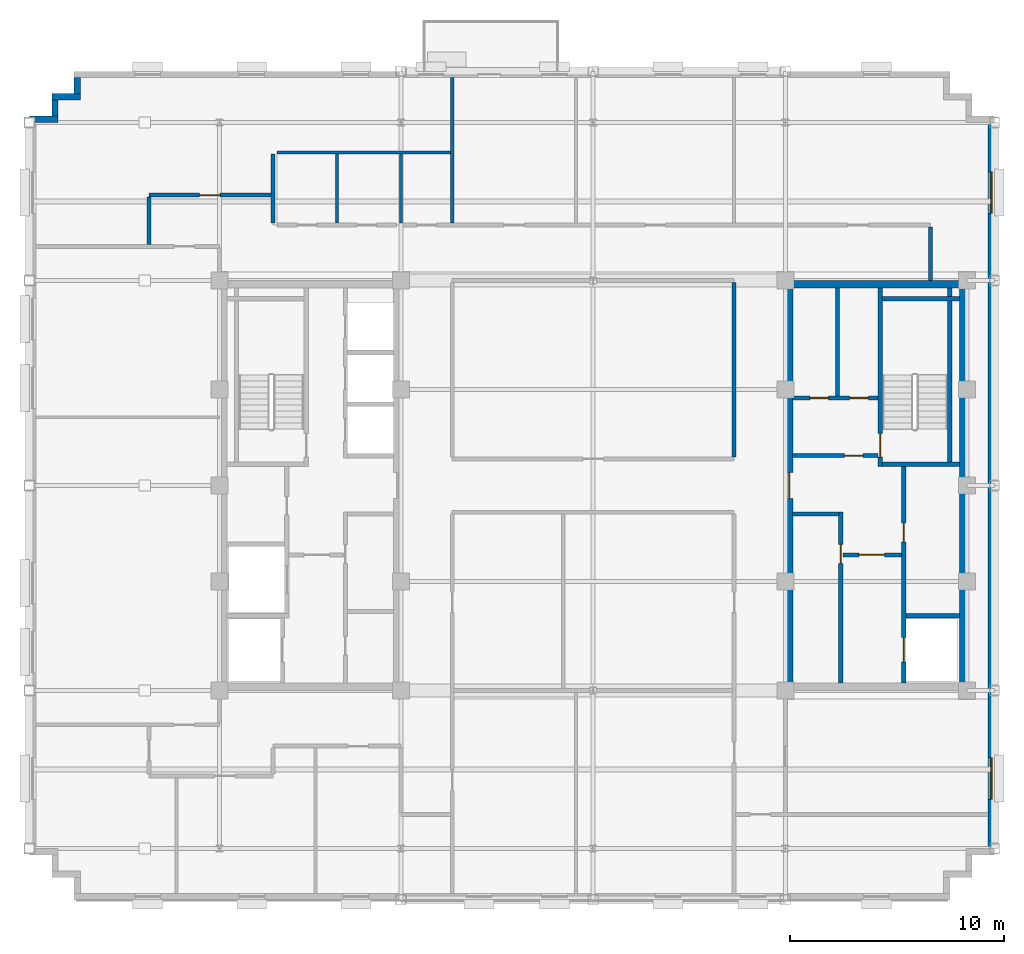
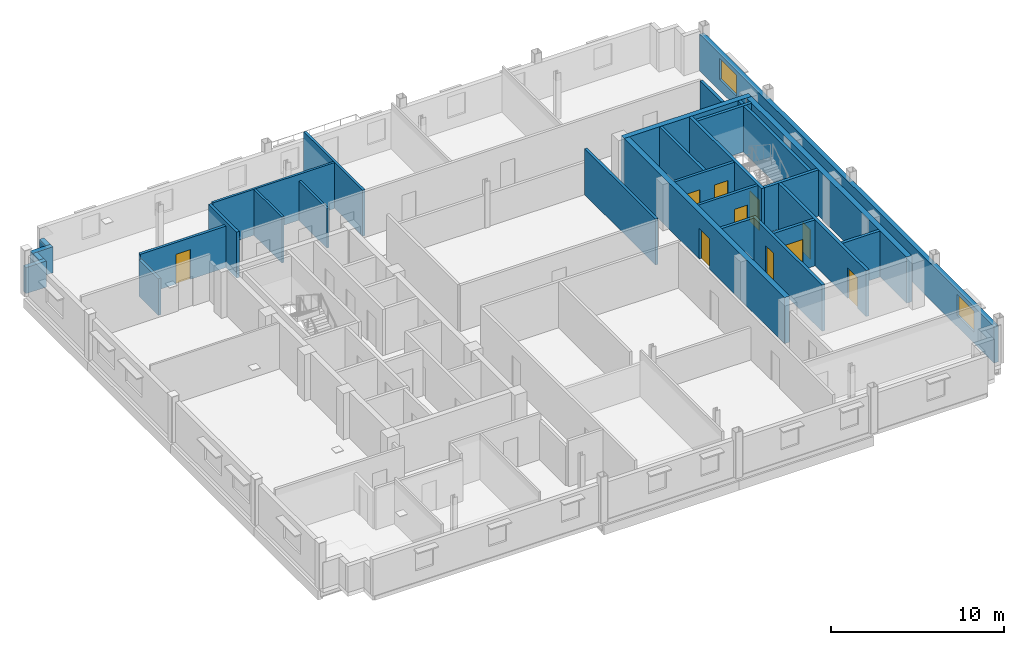
# One storey, part 8 of 14: 29 walls, 10 doors, 2 windows, 12 openings.
"""IFC4 building model written with IfcOpenShell, lengths in metres."""

from ifc_helpers import new_model, si_unit, direction, frame, frame_2d, origin, place, context, subcontext, project, spatial, rectangle, extrude, source, transform, mapped, material, layer, layer_set, type_object, type_shapes, element, fill, save


model = new_model("IFC4")

# Units and contexts
model_context = context("Model", 3, precision=1e-05, world=origin(), true_north=direction((0.0, 1.0)))
body_context = subcontext(model_context, "Body", "Model", "MODEL_VIEW")
ifc_project = project(units=[si_unit("LENGTHUNIT", "METRE"), si_unit("AREAUNIT", "SQUARE_METRE"), si_unit("VOLUMEUNIT", "CUBIC_METRE"), si_unit("PLANEANGLEUNIT", "RADIAN"), si_unit("MASSUNIT", "GRAM", prefix="KILO")], contexts=[model_context])

# Site, building, storey
site_placement = place(None, origin())
site = spatial("IfcSite", under=ifc_project, at=site_placement, CompositionType="ELEMENT")
building_placement = place(site_placement, origin())
building = spatial("IfcBuilding", under=site, at=building_placement, Name="Nuvemarco Arch Tower", CompositionType="ELEMENT")
storey_placement = place(building_placement, frame((0.0, 0.0, 242.0)))
storey = spatial("IfcBuildingStorey", under=building, at=storey_placement, Name="L64", CompositionType="ELEMENT", Elevation=242.0)

# Wall, openings, windows
ifc_material_1 = material(Name="Precast concrete C45/55", Category="concrete")
ifc_layer_1 = layer(ifc_material_1, 0.300048828125, Name="EW-HIGH-300")
ifc_layer_set_1 = layer_set([ifc_layer_1], Name="Precast concrete C45/55")
wall_type_1 = type_object("IfcWallType", Name="EW-HIGH-300", PredefinedType="STANDARD", material=ifc_layer_set_1)
wall_1_placement = place(storey_placement, frame((18.64990234375, -17.00390625, 0.0), z_axis=(0.0, 0.0, 1.0), x_axis=(0.0, 1.0, 0.0)))
wall_1 = element("IfcWall", 1, at=wall_1_placement, inside=storey, type_object=wall_type_1, Name="L64 exterior precast facade wall 6", PredefinedType="STANDARD", context=body_context, shape_type="SweptSolid", body=[
    extrude(rectangle(XDim=34.0078125, YDim=0.300048828125, at=frame_2d((17.00390625, 0.0))), origin(), (0.0, 0.0, 1.0), 2.5849609375),
])
opening_1_placement = place(wall_1_placement, frame((2.311279296875, 0.0, 0.800048828125)))
opening_1 = element("IfcOpeningElement", 2, at=opening_1_placement, cuts=wall_1, Name="Opening WN-7", PredefinedType="OPENING", context=body_context, shape_type="SweptSolid", body=[
    extrude(rectangle(XDim=1.949951171875, YDim=1.47998046875, at=frame_2d((0.97509765625, 0.739990234375))), frame((0.0, 0.159912109375, 0.0), z_axis=(0.0, -1.0, 0.0), x_axis=(1.0, 0.0, 0.0)), (0.0, 0.0, 1.0), 0.320068359375),
])
opening_2_placement = place(wall_1_placement, frame((29.74658203125, 0.0, 0.800048828125)))
opening_2 = element("IfcOpeningElement", 3, at=opening_2_placement, cuts=wall_1, Name="Opening WN-7", PredefinedType="OPENING", context=body_context, shape_type="SweptSolid", body=[
    extrude(rectangle(XDim=1.949951171875, YDim=1.47998046875, at=frame_2d((0.97509765625, 0.739990234375))), frame((0.0, 0.159912109375, 0.0), z_axis=(0.0, -1.0, 0.0), x_axis=(1.0, 0.0, 0.0)), (0.0, 0.0, 1.0), 0.320068359375),
])
ifc_material_2 = material(Name="Insulated solar-control glass", Category="glass")
window_type = type_object("IfcWindowType", Name="WN-HIGH-1950x1480", PartitioningType="DOUBLE_PANEL_VERTICAL", PredefinedType="WINDOW", material=ifc_material_2)
shared_shape_1 = source(origin(), body_context, "Body", "SweptSolid", [
    extrude(rectangle(XDim=1.949951171875, YDim=1.47998046875, at=frame_2d((0.97509765625, 0.739990234375))), frame((0.0, 0.030029296875, 0.0), z_axis=(0.0, -1.0, 0.0), x_axis=(1.0, 0.0, 0.0)), (0.0, 0.0, 1.0), 0.06005859375),
])
type_shapes(window_type, [shared_shape_1])
window_1_placement = place(opening_1_placement, origin())
window_1 = element("IfcWindow", 4, at=window_1_placement, inside=storey, type_object=window_type, Name="L64 punched facade window 1", OverallHeight=1.47998046875, OverallWidth=1.949951171875, PartitioningType="SINGLE_PANEL", PredefinedType="WINDOW", context=body_context, shape_type="MappedRepresentation", body=[
    mapped(shared_shape_1, transform((0.0, 0.0, 0.0), scale=1.0)),
])
fill(opening_1, window_1)
window_2_placement = place(opening_2_placement, origin())
window_2 = element("IfcWindow", 5, at=window_2_placement, inside=storey, type_object=window_type, Name="L64 punched facade window 7", OverallHeight=1.47998046875, OverallWidth=1.949951171875, PartitioningType="SINGLE_PANEL", PredefinedType="WINDOW", context=body_context, shape_type="MappedRepresentation", body=[
    mapped(shared_shape_1, transform((0.0, 0.0, 0.0), scale=1.0)),
])
fill(opening_2, window_2)

# Walls
wall_2_placement = place(storey_placement, frame((-24.14990234375, 18.345947265625, 0.0), z_axis=(0.0, 0.0, 1.0), x_axis=(0.0, 1.0, 0.0)))
element("IfcWall", 6, at=wall_2_placement, inside=storey, type_object=wall_type_1, Name="L64 exterior precast facade wall 12", PredefinedType="STANDARD", context=body_context, shape_type="SweptSolid", body=[
    extrude(rectangle(XDim=0.758056640625, YDim=0.300048828125, at=frame_2d((0.37890625, 0.0))), origin(), (0.0, 0.0, 1.0), 1.8349609375),
])
wall_3_placement = place(storey_placement, frame((-25.35009765625, 18.199951171875, 0.0), z_axis=(0.0, 0.0, 1.0), x_axis=(1.0, 0.0, 0.0)))
element("IfcWall", 7, at=wall_3_placement, inside=storey, type_object=wall_type_1, Name="L64 exterior precast facade wall 13", PredefinedType="STANDARD", context=body_context, shape_type="SweptSolid", body=[
    extrude(rectangle(XDim=1.35009765625, YDim=0.300048828125, at=frame_2d((0.675048828125, 0.0))), origin(), (0.0, 0.0, 1.0), 1.8349609375),
])
wall_4_placement = place(storey_placement, frame((-25.199951171875, 17.2958984375, 0.0), z_axis=(0.0, 0.0, 1.0), x_axis=(0.0, 1.0, 0.0)))
element("IfcWall", 8, at=wall_4_placement, inside=storey, type_object=wall_type_1, Name="L64 exterior precast facade wall 14", PredefinedType="STANDARD", context=body_context, shape_type="SweptSolid", body=[
    extrude(rectangle(XDim=0.758056640625, YDim=0.300048828125, at=frame_2d((0.37890625, 0.0))), origin(), (0.0, 0.0, 1.0), 1.8349609375),
])
wall_5_placement = place(storey_placement, frame((-26.39990234375, 17.14990234375, 0.0), z_axis=(0.0, 0.0, 1.0), x_axis=(1.0, 0.0, 0.0)))
element("IfcWall", 9, at=wall_5_placement, inside=storey, type_object=wall_type_1, Name="L64 exterior precast facade wall 15", PredefinedType="STANDARD", context=body_context, shape_type="SweptSolid", body=[
    extrude(rectangle(XDim=1.349853515625, YDim=0.300048828125, at=frame_2d((0.6748046875, 0.0))), origin(), (0.0, 0.0, 1.0), 1.8349609375),
])
ifc_material_3 = material(Name="Concrete C50/60", Category="concrete")
ifc_layer_2 = layer(ifc_material_3, 0.35009765625, Name="WL-CORE-350")
ifc_layer_set_2 = layer_set([ifc_layer_2], Name="Concrete C50/60")
wall_type_2 = type_object("IfcWallType", Name="WL-CORE-350", PredefinedType="SHEAR", material=ifc_layer_set_2)
wall_6_placement = place(storey_placement, frame((9.0, 9.425048828125, 0.0), z_axis=(0.0, 0.0, 1.0), x_axis=(1.0, 0.0, 0.0)))
element("IfcWall", 10, at=wall_6_placement, inside=storey, type_object=wall_type_2, Name="L64 E-core shear wall N", PredefinedType="SHEAR", context=body_context, shape_type="SweptSolid", body=[
    extrude(rectangle(XDim=8.5, YDim=0.35009765625, at=frame_2d((4.25, 0.0))), origin(), (0.0, 0.0, 1.0), 3.25),
])

# Wall, opening, door
wall_7_placement = place(storey_placement, frame((9.175048828125, -9.2548828125, 0.0), z_axis=(0.0, 0.0, 1.0), x_axis=(0.0, 1.0, 0.0)))
wall_7 = element("IfcWall", 11, at=wall_7_placement, inside=storey, type_object=wall_type_2, Name="L64 E-core shear wall W", PredefinedType="SHEAR", context=body_context, shape_type="SweptSolid", body=[
    extrude(rectangle(XDim=18.509765625, YDim=0.35009765625, at=frame_2d((9.2548828125, 0.0))), origin(), (0.0, 0.0, 1.0), 3.25),
])
opening_3_placement = place(wall_7_placement, frame((8.655029296875, 0.0, 0.0)))
opening_3 = element("IfcOpeningElement", 12, at=opening_3_placement, cuts=wall_7, Name="Opening FD-2", PredefinedType="OPENING", context=body_context, shape_type="SweptSolid", body=[
    extrude(rectangle(XDim=1.199951171875, YDim=2.14990234375, at=frame_2d((0.60009765625, 1.074951171875))), frame((0.0, 0.18505859375, 0.0), z_axis=(0.0, -1.0, 0.0), x_axis=(1.0, 0.0, 0.0)), (0.0, 0.0, 1.0), 0.3701171875),
])
ifc_material_4 = material(Name="Anodised steel fire door", Category="steel")
door_type_1 = type_object("IfcDoorType", Name="DR-FFLOB-FD", OperationType="NOTDEFINED", PredefinedType="DOOR", material=ifc_material_4)
shared_shape_2 = source(origin(), body_context, "Body", "SweptSolid", [
    extrude(rectangle(XDim=1.199951171875, YDim=2.14990234375, at=frame_2d((0.60009765625, 1.074951171875))), frame((0.0, 0.02490234375, 0.0), z_axis=(0.0, -1.0, 0.0), x_axis=(1.0, 0.0, 0.0)), (0.0, 0.0, 1.0), 0.050048828125),
])
type_shapes(door_type_1, [shared_shape_2])
door_1_placement = place(opening_3_placement, origin())
door_1 = element("IfcDoor", 13, at=door_1_placement, inside=storey, type_object=door_type_1, Name="L64 door FD-L64-ECORE-W", OperationType="SINGLE_SWING_LEFT", OverallHeight=2.14990234375, OverallWidth=1.199951171875, PredefinedType="DOOR", context=body_context, shape_type="MappedRepresentation", body=[
    mapped(shared_shape_2, transform((0.0, 0.0, 0.0), scale=1.0)),
])
fill(opening_3, door_1)

# Wall
wall_8_placement = place(storey_placement, frame((17.324951171875, -9.2548828125, 0.0), z_axis=(0.0, 0.0, 1.0), x_axis=(0.0, 1.0, 0.0)))
element("IfcWall", 14, at=wall_8_placement, inside=storey, type_object=wall_type_2, Name="L64 E-core shear wall E", PredefinedType="SHEAR", context=body_context, shape_type="SweptSolid", body=[
    extrude(rectangle(XDim=18.509765625, YDim=0.35009765625, at=frame_2d((9.2548828125, 0.0))), origin(), (0.0, 0.0, 1.0), 3.25),
])

# Wall, opening, door
ifc_material_5 = material(Name="Fire-rated gypsum drywall partition")
ifc_layer_3 = layer(ifc_material_5, 0.179931640625, Name="WL-CORR-180")
ifc_layer_set_3 = layer_set([ifc_layer_3], Name="Fire-rated gypsum drywall partition")
wall_type_3 = type_object("IfcWallType", Name="WL-CORR-180", PredefinedType="PARTITIONING", material=ifc_layer_set_3)
wall_9_placement = place(storey_placement, frame((9.344970703125, 1.39990234375, 0.0), z_axis=(0.0, 0.0, 1.0), x_axis=(1.0, 0.0, 0.0)))
wall_9 = element("IfcWall", 15, at=wall_9_placement, inside=storey, type_object=wall_type_3, Name="L64 interior wall IW-L64-EK-S", PredefinedType="PARTITIONING", context=body_context, shape_type="SweptSolid", body=[
    extrude(rectangle(XDim=4.0, YDim=0.179931640625, at=frame_2d((2.0, 0.0))), origin(), (0.0, 0.0, 1.0), 3.239990234375),
])
opening_4_placement = place(wall_9_placement, frame((2.4150390625, 0.0, 0.0)))
opening_4 = element("IfcOpeningElement", 16, at=opening_4_placement, cuts=wall_9, Name="Opening FD-4", PredefinedType="OPENING", context=body_context, shape_type="SweptSolid", body=[
    extrude(rectangle(XDim=0.8798828125, YDim=2.10009765625, at=frame_2d((0.43994140625, 1.050048828125))), frame((0.0, 0.099853515625, 0.0), z_axis=(0.0, -1.0, 0.0), x_axis=(1.0, 0.0, 0.0)), (0.0, 0.0, 1.0), 0.199951171875),
])
door_type_2 = type_object("IfcDoorType", Name="DR-RISER-FD", OperationType="NOTDEFINED", PredefinedType="DOOR", material=ifc_material_4)
shared_shape_3 = source(origin(), body_context, "Body", "SweptSolid", [
    extrude(rectangle(XDim=0.8798828125, YDim=2.10009765625, at=frame_2d((0.43994140625, 1.050048828125))), frame((0.0, 0.02490234375, 0.0), z_axis=(0.0, -1.0, 0.0), x_axis=(1.0, 0.0, 0.0)), (0.0, 0.0, 1.0), 0.050048828125),
])
type_shapes(door_type_2, [shared_shape_3])
door_2_placement = place(opening_4_placement, origin())
door_2 = element("IfcDoor", 17, at=door_2_placement, inside=storey, type_object=door_type_2, Name="L64 door FD-L64-EK3A", OperationType="SINGLE_SWING_RIGHT", OverallHeight=2.10009765625, OverallWidth=0.8798828125, PredefinedType="DOOR", context=body_context, shape_type="MappedRepresentation", body=[
    mapped(shared_shape_3, transform((0.0, 0.0, 0.0), scale=1.0)),
])
fill(opening_4, door_2)

# Wall, openings, doors
wall_10_placement = place(storey_placement, frame((9.344970703125, 4.10009765625, 0.0), z_axis=(0.0, 0.0, 1.0), x_axis=(1.0, 0.0, 0.0)))
wall_10 = element("IfcWall", 18, at=wall_10_placement, inside=storey, type_object=wall_type_3, Name="L64 interior wall IW-L64-EK3H", PredefinedType="PARTITIONING", context=body_context, shape_type="SweptSolid", body=[
    extrude(rectangle(XDim=4.0, YDim=0.179931640625, at=frame_2d((2.0, 0.0))), origin(), (0.0, 0.0, 1.0), 3.239990234375),
])
opening_5_placement = place(wall_10_placement, frame((0.800048828125, 0.0, 0.0)))
opening_5 = element("IfcOpeningElement", 19, at=opening_5_placement, cuts=wall_10, Name="Opening FD-4", PredefinedType="OPENING", context=body_context, shape_type="SweptSolid", body=[
    extrude(rectangle(XDim=0.8798828125, YDim=2.10009765625, at=frame_2d((0.43994140625, 1.050048828125))), frame((0.0, 0.099853515625, 0.0), z_axis=(0.0, -1.0, 0.0), x_axis=(1.0, 0.0, 0.0)), (0.0, 0.0, 1.0), 0.199951171875),
])
opening_6_placement = place(wall_10_placement, frame((2.6650390625, 0.0, 0.0)))
opening_6 = element("IfcOpeningElement", 20, at=opening_6_placement, cuts=wall_10, Name="Opening FD-4", PredefinedType="OPENING", context=body_context, shape_type="SweptSolid", body=[
    extrude(rectangle(XDim=0.8798828125, YDim=2.10009765625, at=frame_2d((0.43994140625, 1.050048828125))), frame((0.0, 0.099853515625, 0.0), z_axis=(0.0, -1.0, 0.0), x_axis=(1.0, 0.0, 0.0)), (0.0, 0.0, 1.0), 0.199951171875),
])
door_3_placement = place(opening_5_placement, origin())
door_3 = element("IfcDoor", 21, at=door_3_placement, inside=storey, type_object=door_type_2, Name="L64 door FD-L64-EK3B", OperationType="SINGLE_SWING_LEFT", OverallHeight=2.10009765625, OverallWidth=0.8798828125, PredefinedType="DOOR", context=body_context, shape_type="MappedRepresentation", body=[
    mapped(shared_shape_3, transform((0.0, 0.0, 0.0), scale=1.0)),
])
fill(opening_5, door_3)
door_4_placement = place(opening_6_placement, origin())
door_4 = element("IfcDoor", 22, at=door_4_placement, inside=storey, type_object=door_type_2, Name="L64 door FD-L64-EK3C", OperationType="SINGLE_SWING_RIGHT", OverallHeight=2.10009765625, OverallWidth=0.8798828125, PredefinedType="DOOR", context=body_context, shape_type="MappedRepresentation", body=[
    mapped(shared_shape_3, transform((0.0, 0.0, 0.0), scale=1.0)),
])
fill(opening_6, door_4)

# Wall
wall_11_placement = place(storey_placement, frame((11.449951171875, 4.18994140625, 0.0), z_axis=(0.0, 0.0, 1.0), x_axis=(0.0, 1.0, 0.0)))
element("IfcWall", 23, at=wall_11_placement, inside=storey, type_object=wall_type_3, Name="L64 interior wall IW-L64-EK3V", PredefinedType="PARTITIONING", context=body_context, shape_type="SweptSolid", body=[
    extrude(rectangle(XDim=5.06494140625, YDim=0.179931640625, at=frame_2d((2.532470703125, 0.0))), origin(), (0.0, 0.0, 1.0), 3.239990234375),
])

# Wall, opening, door
wall_12_placement = place(storey_placement, frame((-20.800048828125, 13.60009765625, 0.0), z_axis=(0.0, 0.0, 1.0), x_axis=(1.0, 0.0, 0.0)))
wall_12 = element("IfcWall", 24, at=wall_12_placement, inside=storey, type_object=wall_type_3, Name="L64 interior wall IW-L64-016", PredefinedType="PARTITIONING", context=body_context, shape_type="SweptSolid", body=[
    extrude(rectangle(XDim=5.714111328125, YDim=0.179931640625, at=frame_2d((2.85693359375, 0.0))), origin(), (0.0, 0.0, 1.0), 2.928955078125),
])
opening_7_placement = place(wall_12_placement, frame((2.376953125, 0.0, 0.0)))
opening_7 = element("IfcOpeningElement", 25, at=opening_7_placement, cuts=wall_12, Name="Opening FD-5", PredefinedType="OPENING", context=body_context, shape_type="SweptSolid", body=[
    extrude(rectangle(XDim=0.9599609375, YDim=2.10009765625, at=frame_2d((0.47998046875, 1.050048828125))), frame((0.0, 0.099853515625, 0.0), z_axis=(0.0, -1.0, 0.0), x_axis=(1.0, 0.0, 0.0)), (0.0, 0.0, 1.0), 0.199951171875),
])
ifc_material_6 = material(Name="Timber fire door", Category="wood")
door_type_3 = type_object("IfcDoorType", Name="DR-CORR-FD", OperationType="NOTDEFINED", PredefinedType="DOOR", material=ifc_material_6)
shared_shape_4 = source(origin(), body_context, "Body", "SweptSolid", [
    extrude(rectangle(XDim=0.9599609375, YDim=2.10009765625, at=frame_2d((0.47998046875, 1.050048828125))), frame((0.0, 0.02490234375, 0.0), z_axis=(0.0, -1.0, 0.0), x_axis=(1.0, 0.0, 0.0)), (0.0, 0.0, 1.0), 0.050048828125),
])
type_shapes(door_type_3, [shared_shape_4])
door_5_placement = place(opening_7_placement, origin())
door_5 = element("IfcDoor", 26, at=door_5_placement, inside=storey, type_object=door_type_3, Name="L64 door DR-L64-N_1", OperationType="SINGLE_SWING_RIGHT", OverallHeight=2.10009765625, OverallWidth=0.9599609375, PredefinedType="DOOR", context=body_context, shape_type="MappedRepresentation", body=[
    mapped(shared_shape_4, transform((0.0, 0.0, 0.0), scale=1.0)),
])
fill(opening_7, door_5)

# Walls
wall_13_placement = place(storey_placement, frame((-20.800048828125, 11.285888671875, 0.0), z_axis=(0.0, 0.0, 1.0), x_axis=(0.0, 1.0, 0.0)))
element("IfcWall", 27, at=wall_13_placement, inside=storey, type_object=wall_type_3, Name="L64 interior wall IW-L64-019", PredefinedType="PARTITIONING", context=body_context, shape_type="SweptSolid", body=[
    extrude(rectangle(XDim=2.22802734375, YDim=0.179931640625, at=frame_2d((1.114013671875, 0.0))), origin(), (0.0, 0.0, 1.0), 2.5849609375),
])
wall_14_placement = place(storey_placement, frame((-15.0, 12.285888671875, 0.0), z_axis=(0.0, 0.0, 1.0), x_axis=(0.0, 1.0, 0.0)))
element("IfcWall", 28, at=wall_14_placement, inside=storey, type_object=wall_type_3, Name="L64 interior wall IW-L64-024", PredefinedType="PARTITIONING", context=body_context, shape_type="SweptSolid", body=[
    extrude(rectangle(XDim=3.2431640625, YDim=0.179931640625, at=frame_2d((1.62158203125, 0.0))), origin(), (0.0, 0.0, 1.0), 3.239990234375),
])
wall_15_placement = place(storey_placement, frame((6.60009765625, 1.3359375, 0.0), z_axis=(0.0, 0.0, 1.0), x_axis=(0.0, 1.0, 0.0)))
element("IfcWall", 29, at=wall_15_placement, inside=storey, type_object=wall_type_3, Name="L64 interior wall IW-L64-036", PredefinedType="PARTITIONING", context=body_context, shape_type="SweptSolid", body=[
    extrude(rectangle(XDim=8.177978515625, YDim=0.179931640625, at=frame_2d((4.0888671875, 0.0))), origin(), (0.0, 0.0, 1.0), 3.239990234375),
])
wall_16_placement = place(storey_placement, frame((15.800048828125, 9.60009765625, 0.0), z_axis=(0.0, 0.0, 1.0), x_axis=(0.0, 1.0, 0.0)))
element("IfcWall", 30, at=wall_16_placement, inside=storey, type_object=wall_type_3, Name="L64 interior wall IW-L64-039", PredefinedType="PARTITIONING", context=body_context, shape_type="SweptSolid", body=[
    extrude(rectangle(XDim=2.513916015625, YDim=0.179931640625, at=frame_2d((1.2568359375, 0.0))), origin(), (0.0, 0.0, 1.0), 3.239990234375),
])

# Wall, opening, door
ifc_layer_4 = layer(ifc_material_3, 0.199951171875, Name="WL-SHAFT-220")
ifc_layer_set_4 = layer_set([ifc_layer_4], Name="Concrete C50/60")
wall_type_4 = type_object("IfcWallType", Name="WL-SHAFT-220", PredefinedType="SHEAR", material=ifc_layer_set_4)
wall_17_placement = place(storey_placement, frame((13.43994140625, 0.89990234375, 0.0), z_axis=(0.0, 0.0, 1.0), x_axis=(0.0, 1.0, 0.0)))
wall_17 = element("IfcWall", 31, at=wall_17_placement, inside=storey, type_object=wall_type_4, Name="L64 structural shaft wall SW-L64-E-ST2W", PredefinedType="SHEAR", context=body_context, shape_type="SweptSolid", body=[
    extrude(rectangle(XDim=8.35498046875, YDim=0.199951171875, at=frame_2d((4.177490234375, 0.0))), origin(), (0.0, 0.0, 1.0), 3.25),
])
opening_8_placement = place(wall_17_placement, frame((0.429931640625, 0.0, 0.0)))
opening_8 = element("IfcOpeningElement", 32, at=opening_8_placement, cuts=wall_17, Name="Opening FD-1", PredefinedType="OPENING", context=body_context, shape_type="SweptSolid", body=[
    extrude(rectangle(XDim=1.10009765625, YDim=2.14990234375, at=frame_2d((0.550048828125, 1.074951171875))), frame((0.0, 0.10986328125, 0.0), z_axis=(0.0, -1.0, 0.0), x_axis=(1.0, 0.0, 0.0)), (0.0, 0.0, 1.0), 0.219970703125),
])
door_type_4 = type_object("IfcDoorType", Name="DR-STAIR-FD", OperationType="NOTDEFINED", PredefinedType="DOOR", material=ifc_material_4)
shared_shape_5 = source(origin(), body_context, "Body", "SweptSolid", [
    extrude(rectangle(XDim=1.10009765625, YDim=2.14990234375, at=frame_2d((0.550048828125, 1.074951171875))), frame((0.0, 0.02490234375, 0.0), z_axis=(0.0, -1.0, 0.0), x_axis=(1.0, 0.0, 0.0)), (0.0, 0.0, 1.0), 0.050048828125),
])
type_shapes(door_type_4, [shared_shape_5])
door_6_placement = place(opening_8_placement, origin())
door_6 = element("IfcDoor", 33, at=door_6_placement, inside=storey, type_object=door_type_4, Name="L64 door FD-L64-ST2", OperationType="SINGLE_SWING_RIGHT", OverallHeight=2.14990234375, OverallWidth=1.10009765625, PredefinedType="DOOR", context=body_context, shape_type="MappedRepresentation", body=[
    mapped(shared_shape_5, transform((0.0, 0.0, 0.0), scale=1.0)),
])
fill(opening_8, door_6)

# Walls
for number, where, z_axis, x_axis, name in (
    (34, (13.534912109375, 1.0, 0.0), (0.0, 0.0, 1.0), (1.0, 0.0, 0.0), "L64 structural shaft wall SW-L64-E-ST2S"),
    (35, (13.534912109375, 8.75, 0.0), (0.0, 0.0, 1.0), (1.0, 0.0, 0.0), "L64 structural shaft wall SW-L64-E-ST2N"),
):
    element("IfcWall", number, at=place(storey_placement, frame(where, z_axis=z_axis, x_axis=x_axis)), inside=storey, type_object=wall_type_4, Name=name, PredefinedType="SHEAR", context=body_context, shape_type="SweptSolid", body=[
        extrude(rectangle(XDim=3.6201171875, YDim=0.199951171875, at=frame_2d((1.81005859375, 0.0))), origin(), (0.0, 0.0, 1.0), 3.25),
    ])
wall_18_placement = place(storey_placement, frame((16.699951171875, 1.094970703125, 0.0), z_axis=(0.0, 0.0, 1.0), x_axis=(0.0, 1.0, 0.0)))
element("IfcWall", 36, at=wall_18_placement, inside=storey, type_object=wall_type_4, Name="L64 structural shaft wall SW-L64-E-ST2E", PredefinedType="SHEAR", context=body_context, shape_type="SweptSolid", body=[
    extrude(rectangle(XDim=8.159912109375, YDim=0.199951171875, at=frame_2d((4.080078125, 0.0))), origin(), (0.0, 0.0, 1.0), 3.25),
])

# Wall, openings, doors
wall_19_placement = place(storey_placement, frame((14.550048828125, -9.2548828125, 0.0), z_axis=(0.0, 0.0, 1.0), x_axis=(0.0, 1.0, 0.0)))
wall_19 = element("IfcWall", 37, at=wall_19_placement, inside=storey, type_object=wall_type_4, Name="L64 structural shaft wall SW-L64-E-SHW", PredefinedType="SHEAR", context=body_context, shape_type="SweptSolid", body=[
    extrude(rectangle(XDim=10.159912109375, YDim=0.199951171875, at=frame_2d((5.080078125, 0.0))), origin(), (0.0, 0.0, 1.0), 3.25),
])
opening_9_placement = place(wall_19_placement, frame((6.614990234375, 0.0, 0.0)))
opening_9 = element("IfcOpeningElement", 38, at=opening_9_placement, cuts=wall_19, Name="Opening FD-4", PredefinedType="OPENING", context=body_context, shape_type="SweptSolid", body=[
    extrude(rectangle(XDim=0.8798828125, YDim=2.10009765625, at=frame_2d((0.43994140625, 1.050048828125))), frame((0.0, 0.10986328125, 0.0), z_axis=(0.0, -1.0, 0.0), x_axis=(1.0, 0.0, 0.0)), (0.0, 0.0, 1.0), 0.219970703125),
])
opening_10_placement = place(wall_19_placement, frame((0.97998046875, 0.0, 0.0)))
opening_10 = element("IfcOpeningElement", 39, at=opening_10_placement, cuts=wall_19, Name="Opening LD-2", PredefinedType="OPENING", context=body_context, shape_type="SweptSolid", body=[
    extrude(rectangle(XDim=1.14990234375, YDim=2.14990234375, at=frame_2d((0.574951171875, 1.074951171875))), frame((0.0, 0.10986328125, 0.0), z_axis=(0.0, -1.0, 0.0), x_axis=(1.0, 0.0, 0.0)), (0.0, 0.0, 1.0), 0.219970703125),
])
door_7_placement = place(opening_9_placement, origin())
door_7 = element("IfcDoor", 40, at=door_7_placement, inside=storey, type_object=door_type_2, Name="L64 door FD-L64-ERIS", OperationType="SINGLE_SWING_RIGHT", OverallHeight=2.10009765625, OverallWidth=0.8798828125, PredefinedType="DOOR", context=body_context, shape_type="MappedRepresentation", body=[
    mapped(shared_shape_3, transform((0.0, 0.0, 0.0), scale=1.0)),
])
fill(opening_9, door_7)
ifc_material_7 = material(Name="Stainless steel lift door", Category="steel")
door_type_5 = type_object("IfcDoorType", Name="DR-LIFT-FIRE", OperationType="DOUBLE_DOOR_SLIDING", PredefinedType="DOOR", material=ifc_material_7)
shared_shape_6 = source(origin(), body_context, "Body", "SweptSolid", [
    extrude(rectangle(XDim=1.14990234375, YDim=2.14990234375, at=frame_2d((0.574951171875, 1.074951171875))), frame((0.0, 0.02490234375, 0.0), z_axis=(0.0, -1.0, 0.0), x_axis=(1.0, 0.0, 0.0)), (0.0, 0.0, 1.0), 0.050048828125),
])
type_shapes(door_type_5, [shared_shape_6])
door_8_placement = place(opening_10_placement, origin())
door_8 = element("IfcDoor", 41, at=door_8_placement, inside=storey, type_object=door_type_5, Name="L64 Lift landing sliding door FFL-2", OperationType="DOUBLE_DOOR_SLIDING", OverallHeight=2.14990234375, OverallWidth=1.14990234375, PredefinedType="DOOR", context=body_context, shape_type="MappedRepresentation", body=[
    mapped(shared_shape_6, transform((0.0, 0.0, 0.0), scale=1.0)),
])
fill(opening_10, door_8)

# Wall
wall_20_placement = place(storey_placement, frame((14.64501953125, -6.10009765625, 0.0), z_axis=(0.0, 0.0, 1.0), x_axis=(1.0, 0.0, 0.0)))
element("IfcWall", 42, at=wall_20_placement, inside=storey, type_object=wall_type_4, Name="L64 structural shaft wall SW-L64-E-SH1", PredefinedType="SHEAR", context=body_context, shape_type="SweptSolid", body=[
    extrude(rectangle(XDim=2.510009765625, YDim=0.199951171875, at=frame_2d((1.2548828125, 0.0))), origin(), (0.0, 0.0, 1.0), 3.25),
])

# Wall, opening, door
wall_21_placement = place(storey_placement, frame((11.60009765625, -9.2548828125, 0.0), z_axis=(0.0, 0.0, 1.0), x_axis=(0.0, 1.0, 0.0)))
wall_21 = element("IfcWall", 43, at=wall_21_placement, inside=storey, type_object=wall_type_4, Name="L64 structural shaft wall SW-L64-E-PME", PredefinedType="SHEAR", context=body_context, shape_type="SweptSolid", body=[
    extrude(rectangle(XDim=8.02490234375, YDim=0.199951171875, at=frame_2d((4.012451171875, 0.0))), origin(), (0.0, 0.0, 1.0), 3.25),
])
opening_11_placement = place(wall_21_placement, frame((5.614990234375, 0.0, 0.0)))
opening_11 = element("IfcOpeningElement", 44, at=opening_11_placement, cuts=wall_21, Name="Opening FD-4", PredefinedType="OPENING", context=body_context, shape_type="SweptSolid", body=[
    extrude(rectangle(XDim=0.8798828125, YDim=2.10009765625, at=frame_2d((0.43994140625, 1.050048828125))), frame((0.0, 0.10986328125, 0.0), z_axis=(0.0, -1.0, 0.0), x_axis=(1.0, 0.0, 0.0)), (0.0, 0.0, 1.0), 0.219970703125),
])
door_9_placement = place(opening_11_placement, origin())
door_9 = element("IfcDoor", 45, at=door_9_placement, inside=storey, type_object=door_type_2, Name="L64 door FD-L64-ERECPM", OperationType="SINGLE_SWING_LEFT", OverallHeight=2.10009765625, OverallWidth=0.8798828125, PredefinedType="DOOR", context=body_context, shape_type="MappedRepresentation", body=[
    mapped(shared_shape_3, transform((0.0, 0.0, 0.0), scale=1.0)),
])
fill(opening_11, door_9)

wall_22_placement = place(storey_placement, frame((11.695068359375, -3.25, 0.0), z_axis=(0.0, 0.0, 1.0), x_axis=(1.0, 0.0, 0.0)))
wall_22 = element("IfcWall", 46, at=wall_22_placement, inside=storey, type_object=wall_type_4, Name="L64 structural shaft wall SW-L64-E-FFN", PredefinedType="SHEAR", context=body_context, shape_type="SweptSolid", body=[
    extrude(rectangle(XDim=2.760009765625, YDim=0.199951171875, at=frame_2d((1.3798828125, 0.0))), origin(), (0.0, 0.0, 1.0), 3.25),
])
opening_12_placement = place(wall_22_placement, frame((0.7548828125, 0.0, 0.0)))
opening_12 = element("IfcOpeningElement", 47, at=opening_12_placement, cuts=wall_22, Name="Opening FD-2", PredefinedType="OPENING", context=body_context, shape_type="SweptSolid", body=[
    extrude(rectangle(XDim=1.199951171875, YDim=2.14990234375, at=frame_2d((0.60009765625, 1.074951171875))), frame((0.0, 0.10986328125, 0.0), z_axis=(0.0, -1.0, 0.0), x_axis=(1.0, 0.0, 0.0)), (0.0, 0.0, 1.0), 0.219970703125),
])
door_10_placement = place(opening_12_placement, origin())
door_10 = element("IfcDoor", 48, at=door_10_placement, inside=storey, type_object=door_type_1, Name="L64 door FD-L64-EFF2", OperationType="SINGLE_SWING_RIGHT", OverallHeight=2.14990234375, OverallWidth=1.199951171875, PredefinedType="DOOR", context=body_context, shape_type="MappedRepresentation", body=[
    mapped(shared_shape_2, transform((0.0, 0.0, 0.0), scale=1.0)),
])
fill(opening_12, door_10)

# Walls
wall_23_placement = place(storey_placement, frame((9.344970703125, -1.330078125, 0.0), z_axis=(0.0, 0.0, 1.0), x_axis=(1.0, 0.0, 0.0)))
element("IfcWall", 49, at=wall_23_placement, inside=storey, type_object=wall_type_4, Name="L64 structural shaft wall SW-L64-E-PMTOP", PredefinedType="SHEAR", context=body_context, shape_type="SweptSolid", body=[
    extrude(rectangle(XDim=2.159912109375, YDim=0.199951171875, at=frame_2d((1.080078125, 0.0))), origin(), (0.0, 0.0, 1.0), 3.25),
])
ifc_material_8 = material(Name="Acoustic gypsum drywall partition")
ifc_layer_5 = layer(ifc_material_8, 0.159912109375, Name="WL-TENANT-160")
ifc_layer_set_5 = layer_set([ifc_layer_5], Name="Acoustic gypsum drywall partition")
wall_type_5 = type_object("IfcWallType", Name="WL-TENANT-160", PredefinedType="PARTITIONING", material=ifc_layer_set_5)
wall_24_placement = place(storey_placement, frame((-6.60009765625, 12.285888671875, 0.0), z_axis=(0.0, 0.0, 1.0), x_axis=(0.0, 1.0, 0.0)))
element("IfcWall", 50, at=wall_24_placement, inside=storey, type_object=wall_type_5, Name="L64 interior wall IW-L64-031", PredefinedType="PARTITIONING", context=body_context, shape_type="SweptSolid", body=[
    extrude(rectangle(XDim=6.814208984375, YDim=0.159912109375, at=frame_2d((3.4072265625, 0.0))), origin(), (0.0, 0.0, 1.0), 3.239990234375),
])
ifc_material_9 = material(Name="Moisture-resistant gypsum partition")
ifc_layer_6 = layer(ifc_material_9, 0.14990234375, Name="WL-WET-150")
ifc_layer_set_6 = layer_set([ifc_layer_6], Name="Moisture-resistant gypsum partition")
wall_type_6 = type_object("IfcWallType", Name="WL-WET-150", PredefinedType="PARTITIONING", material=ifc_layer_set_6)
wall_25_placement = place(storey_placement, frame((-14.800048828125, 15.60009765625, 0.0), z_axis=(0.0, 0.0, 1.0), x_axis=(1.0, 0.0, 0.0)))
element("IfcWall", 51, at=wall_25_placement, inside=storey, type_object=wall_type_6, Name="L64 interior wall IW-L64-017", PredefinedType="PARTITIONING", context=body_context, shape_type="SweptSolid", body=[
    extrude(rectangle(XDim=8.129150390625, YDim=0.14990234375, at=frame_2d((4.064453125, 0.0))), origin(), (0.0, 0.0, 1.0), 3.239990234375),
])
wall_26_placement = place(storey_placement, frame((-12.0, 12.285888671875, 0.0), z_axis=(0.0, 0.0, 1.0), x_axis=(0.0, 1.0, 0.0)))
element("IfcWall", 52, at=wall_26_placement, inside=storey, type_object=wall_type_6, Name="L64 interior wall IW-L64-026", PredefinedType="PARTITIONING", context=body_context, shape_type="SweptSolid", body=[
    extrude(rectangle(XDim=3.2431640625, YDim=0.14990234375, at=frame_2d((1.62158203125, 0.0))), origin(), (0.0, 0.0, 1.0), 3.239990234375),
])
wall_27_placement = place(storey_placement, frame((-9.0, 12.285888671875, 0.0), z_axis=(0.0, 0.0, 1.0), x_axis=(0.0, 1.0, 0.0)))
element("IfcWall", 53, at=wall_27_placement, inside=storey, type_object=wall_type_6, Name="L64 interior wall IW-L64-028", PredefinedType="PARTITIONING", context=body_context, shape_type="SweptSolid", body=[
    extrude(rectangle(XDim=3.2431640625, YDim=0.14990234375, at=frame_2d((1.62158203125, 0.0))), origin(), (0.0, 0.0, 1.0), 2.77197265625),
])

save(model, "model.ifc")
